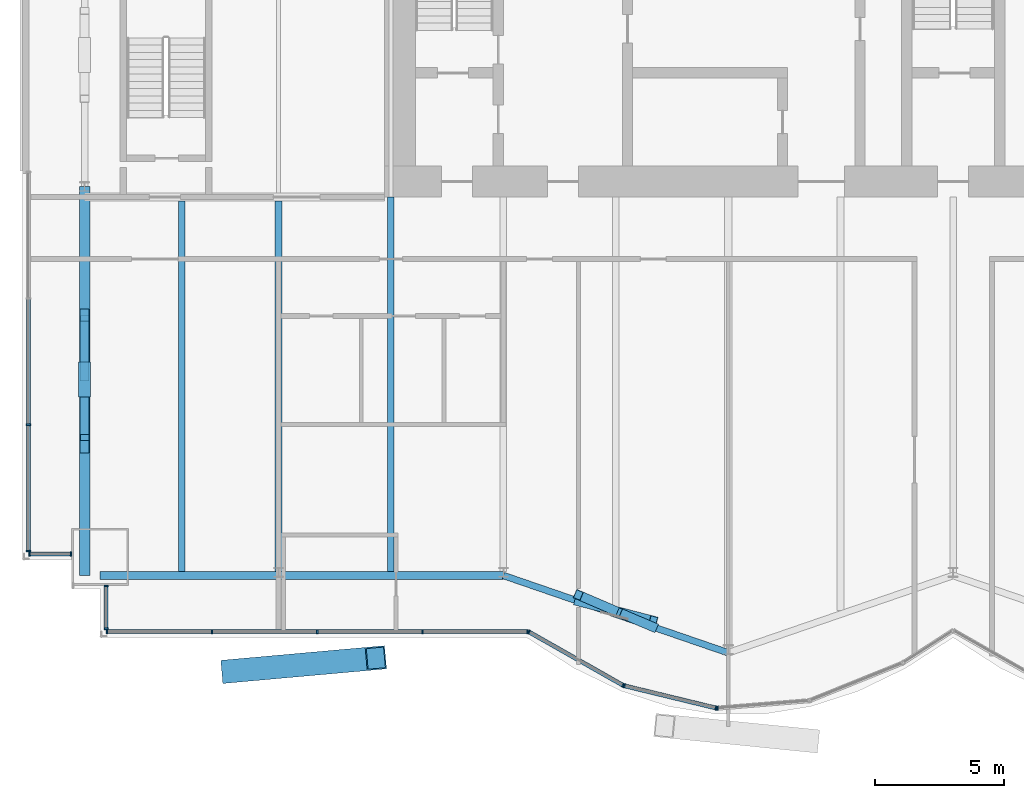
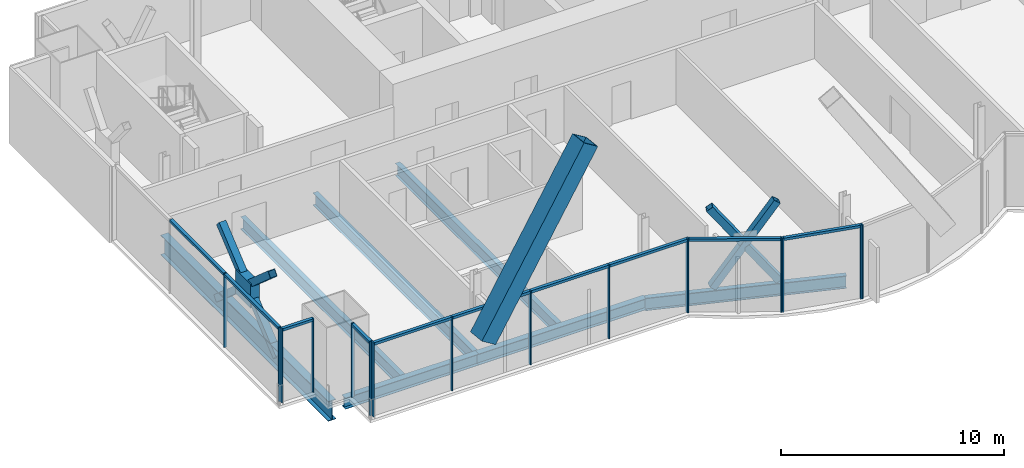
# One storey, part 5 of 20: 35 members, 7 beams, 5 elements without a shape of their own.
"""IFC4 building model written with IfcOpenShell, lengths in metres."""

from ifc_helpers import new_model, si_unit, direction, frame, origin, origin_2d, place, context, subcontext, project, spatial, rectangle, hollow_rectangle, i_section, extrude, material, material_profile, profile_set, type_object, element, aggregate, save


model = new_model("IFC4")

# Units and contexts
model_context = context("Model", 3, precision=1e-05, world=origin(), true_north=direction((0.0, 1.0)))
body_context = subcontext(model_context, "Body", "Model", "MODEL_VIEW")
ifc_project = project(units=[si_unit("LENGTHUNIT", "METRE"), si_unit("AREAUNIT", "SQUARE_METRE"), si_unit("VOLUMEUNIT", "CUBIC_METRE"), si_unit("PLANEANGLEUNIT", "RADIAN"), si_unit("MASSUNIT", "GRAM", prefix="KILO")], contexts=[model_context])

# Site, building, storey
site_placement = place(None, origin())
site = spatial("IfcSite", under=ifc_project, at=site_placement, CompositionType="ELEMENT")
building_placement = place(site_placement, origin())
building = spatial("IfcBuilding", under=site, at=building_placement, Name="Bicima Exchange Tower", CompositionType="ELEMENT")
storey_placement = place(building_placement, frame((0.0, 0.0, 245.60009765625)))
storey = spatial("IfcBuildingStorey", under=building, at=storey_placement, Name="L55", CompositionType="ELEMENT", Elevation=245.60009765625)

# Member
ifc_material_1 = material(Name="Steel ASTM A572 Gr 50", Category="steel")
ifc_material_profile_1 = material_profile(ifc_material_1, rectangle(XDim=0.45556640625, YDim=1.33837890625, at=origin_2d()))
ifc_profile_set_1 = profile_set([ifc_material_profile_1], Name="Steel ASTM A572 Gr 50")
member_type_1 = type_object("IfcMemberType", Name="Brace crossing node 456 x 1338", PredefinedType="POST", material=ifc_profile_set_1)
member_1_placement = place(storey_placement, frame((-33.60009765625, -20.06103515625, 0.7705078125), z_axis=(0.0, 0.0, 1.0), x_axis=(1.0, 0.0, 0.0)))
element("IfcMember", 1, at=member_1_placement, inside=storey, type_object=member_type_1, Name="Brace crossing node block", PredefinedType="POST", context=body_context, shape_type="SweptSolid", body=[
    extrude(rectangle(XDim=0.45556640625, YDim=1.33837890625, at=origin_2d()), origin(), (0.0, 0.0, 1.0), 1.318603515625),
])

# Curtain wall, members
ifc_material_2 = material(Name="Anodised bronze aluminium", Category="aluminium")
curtain_wall_type_1 = type_object("IfcCurtainWallType", Name="End face glass wall", PredefinedType="NOTDEFINED", material=ifc_material_2)
curtain_wall_1_placement = place(storey_placement, origin())
curtain_wall_1 = element("IfcCurtainWall", 2, at=curtain_wall_1_placement, inside=storey, type_object=curtain_wall_type_1, Name="End face glass wall L55 run 2", PredefinedType="NOTDEFINED")
ifc_material_profile_2 = material_profile(ifc_material_2, rectangle(XDim=0.159912109375, YDim=0.06005859375, at=origin_2d()))
ifc_profile_set_2 = profile_set([ifc_material_profile_2], Name="Anodised bronze aluminium")
member_type_2 = type_object("IfcMemberType", Name="End face glass wall mullion 60 x 160", PredefinedType="MULLION", material=ifc_profile_set_2)
member_2_placement = place(storey_placement, frame((-35.77001953125, -21.812744140625, 0.0), z_axis=(0.0, 0.0, 1.0), x_axis=(1.0, 0.0, 0.0)))
member_2 = element("IfcMember", 3, at=member_2_placement, type_object=member_type_2, Name="End face glass wall mullion 3", PredefinedType="MULLION", context=body_context, shape_type="SweptSolid", body=[
    extrude(rectangle(XDim=0.159912109375, YDim=0.06005859375, at=origin_2d()), origin(), (0.0, 0.0, 1.0), 4.0498046875),
])
member_3_placement = place(storey_placement, frame((-35.77001953125, -26.7041015625, 0.0), z_axis=(0.0, 0.0, 1.0), x_axis=(1.0, 0.0, 0.0)))
member_3 = element("IfcMember", 4, at=member_3_placement, type_object=member_type_2, Name="End face glass wall mullion 4", PredefinedType="MULLION", context=body_context, shape_type="SweptSolid", body=[
    extrude(rectangle(XDim=0.159912109375, YDim=0.06005859375, at=origin_2d()), origin(), (0.0, 0.0, 1.0), 4.0498046875),
])
ifc_material_profile_3 = material_profile(ifc_material_2, rectangle(XDim=0.159912109375, YDim=0.139892578125, at=origin_2d()))
ifc_profile_set_3 = profile_set([ifc_material_profile_3], Name="Anodised bronze aluminium")
member_type_3 = type_object("IfcMemberType", Name="End face glass wall transom 140 x 160", PredefinedType="USERDEFINED", material=ifc_profile_set_3)
member_4_placement = place(storey_placement, frame((-35.77001953125, -16.951416015625, 3.97998046875), z_axis=(0.0, -1.0, 0.0), x_axis=(1.0, 0.0, 0.0)))
member_4 = element("IfcMember", 5, at=member_4_placement, type_object=member_type_3, Name="End face glass wall transom 2.1", ObjectType="TRANSOM", PredefinedType="USERDEFINED", context=body_context, shape_type="SweptSolid", body=[
    extrude(rectangle(XDim=0.159912109375, YDim=0.139892578125, at=origin_2d()), origin(), (0.0, 0.0, 1.0), 4.831298828125),
])
member_5_placement = place(storey_placement, frame((-35.77001953125, -21.8427734375, 3.97998046875), z_axis=(0.0, -1.0, 0.0), x_axis=(1.0, 0.0, 0.0)))
member_5 = element("IfcMember", 6, at=member_5_placement, type_object=member_type_3, Name="End face glass wall transom 3.1", ObjectType="TRANSOM", PredefinedType="USERDEFINED", context=body_context, shape_type="SweptSolid", body=[
    extrude(rectangle(XDim=0.159912109375, YDim=0.139892578125, at=origin_2d()), origin(), (0.0, 0.0, 1.0), 4.831298828125),
])
aggregate(curtain_wall_1, [member_2, member_3, member_4, member_5])

# Beam
ifc_material_3 = material(Name="Steel ASTM A992 Gr 50", Category="steel")
ifc_material_profile_4 = material_profile(ifc_material_3, i_section(OverallWidth=0.4013671875, OverallDepth=1.089599609375, WebThickness=0.01806640625, FlangeThickness=0.031005859375, at=origin_2d()))
ifc_profile_set_4 = profile_set([ifc_material_profile_4], Name="Steel ASTM A992 Gr 50")
beam_type_1 = type_object("IfcBeamType", Name="End girder W44x230", PredefinedType="BEAM", material=ifc_profile_set_4)
beam_1_placement = place(storey_placement, frame((-33.60009765625, -12.60009765625, -0.69482421875), z_axis=(0.0, -1.0, 0.0), x_axis=(1.0, 0.0, 0.0)))
element("IfcBeam", 7, at=beam_1_placement, inside=storey, type_object=beam_type_1, Name="End girder", PredefinedType="BEAM", context=body_context, shape_type="SweptSolid", body=[
    extrude(i_section(OverallWidth=0.4013671875, OverallDepth=1.089599609375, WebThickness=0.01806640625, FlangeThickness=0.031005859375, at=origin_2d()), origin(), (0.0, 0.0, 1.0), 15.0439453125),
])

# Member
ifc_material_profile_5 = material_profile(ifc_material_1, hollow_rectangle(XDim=0.89990234375, YDim=0.89990234375, WallThickness=0.050048828125, at=origin_2d()))
ifc_profile_set_5 = profile_set([ifc_material_profile_5], Name="Steel ASTM A572 Gr 50")
member_type_4 = type_object("IfcMemberType", Name="Exo mega brace BOX 900x900x50", PredefinedType="BRACE", material=ifc_profile_set_5)
member_6_placement = place(storey_placement, frame((-27.916748046875, -31.3408203125, 3.5), z_axis=(0.543903217572, 0.048682548595, 0.83773462348), x_axis=(-0.089149513248, 0.996018254997, 0.0)))
element("IfcMember", 8, at=member_6_placement, inside=storey, type_object=member_type_4, Name="Exo mega brace front", PredefinedType="BRACE", context=body_context, shape_type="SweptSolid", body=[
    extrude(hollow_rectangle(XDim=0.89990234375, YDim=0.89990234375, WallThickness=0.050048828125, at=origin_2d()), origin(), (0.0, 0.0, 1.0), 10.265625),
])

# Beams
ifc_material_profile_6 = material_profile(ifc_material_3, i_section(OverallWidth=0.25390625, OverallDepth=0.67822265625, WebThickness=0.01171875, FlangeThickness=0.016357421875, at=origin_2d()))
ifc_profile_set_6 = profile_set([ifc_material_profile_6], Name="Steel ASTM A992 Gr 50")
beam_type_2 = type_object("IfcBeamType", Name="Floor beam W27x84", PredefinedType="JOIST", material=ifc_profile_set_6)
for number, where, z_axis, x_axis, name in (
    (9, (-29.85009765625, -13.15234375, -0.4892578125), (0.0, -1.0, 0.0), (1.0, 0.0, 0.0), "Floor beam"),
    (10, (-26.10009765625, -13.15234375, -0.4892578125), (0.0, -1.0, 0.0), (1.0, 0.0, 0.0), "Floor beam"),
):
    element("IfcBeam", number, at=place(storey_placement, frame(where, z_axis=z_axis, x_axis=x_axis)), inside=storey, type_object=beam_type_2, Name=name, PredefinedType="JOIST", context=body_context, shape_type="SweptSolid", body=[
        extrude(i_section(OverallWidth=0.25390625, OverallDepth=0.67822265625, WebThickness=0.01171875, FlangeThickness=0.016357421875, at=origin_2d()), origin(), (0.0, 0.0, 1.0), 14.3291015625),
    ])
beam_2_placement = place(storey_placement, frame((-21.75, -13.0, -0.4892578125), z_axis=(0.0, -1.0, 0.0), x_axis=(1.0, 0.0, 0.0)))
element("IfcBeam", 11, at=beam_2_placement, inside=storey, type_object=beam_type_2, Name="Floor beam", PredefinedType="JOIST", context=body_context, shape_type="SweptSolid", body=[
    extrude(i_section(OverallWidth=0.25390625, OverallDepth=0.67822265625, WebThickness=0.01171875, FlangeThickness=0.016357421875, at=origin_2d()), origin(), (0.0, 0.0, 1.0), 14.4814453125),
])
ifc_material_profile_7 = material_profile(ifc_material_3, i_section(OverallWidth=0.3251953125, OverallDepth=0.612060546875, WebThickness=0.0126953125, FlangeThickness=0.01904296875, at=origin_2d()))
ifc_profile_set_7 = profile_set([ifc_material_profile_7], Name="Steel ASTM A992 Gr 50")
beam_type_3 = type_object("IfcBeamType", Name="Front girder W24x104", PredefinedType="BEAM", material=ifc_profile_set_7)
beam_3_placement = place(storey_placement, frame((-33.0, -27.64404296875, -0.456298828125), z_axis=(1.0, 0.0, 0.0), x_axis=(0.0, 1.0, 0.0)))
element("IfcBeam", 12, at=beam_3_placement, inside=storey, type_object=beam_type_3, Name="Front girder", PredefinedType="BEAM", context=body_context, shape_type="SweptSolid", body=[
    extrude(i_section(OverallWidth=0.3251953125, OverallDepth=0.612060546875, WebThickness=0.0126953125, FlangeThickness=0.01904296875, at=origin_2d()), origin(), (0.0, 0.0, 1.0), 6.89990234375),
])
beam_4_placement = place(storey_placement, frame((-26.10009765625, -27.64404296875, -0.456298828125), z_axis=(1.0, 0.0, 0.0), x_axis=(0.0, 1.0, 0.0)))
element("IfcBeam", 13, at=beam_4_placement, inside=storey, type_object=beam_type_3, Name="Front girder", PredefinedType="BEAM", context=body_context, shape_type="SweptSolid", body=[
    extrude(i_section(OverallWidth=0.3251953125, OverallDepth=0.612060546875, WebThickness=0.0126953125, FlangeThickness=0.01904296875, at=origin_2d()), origin(), (0.0, 0.0, 1.0), 8.7001953125),
])
ifc_material_profile_8 = material_profile(ifc_material_3, i_section(OverallWidth=0.256591796875, OverallDepth=0.693359375, WebThickness=0.014404296875, FlangeThickness=0.023681640625, at=origin_2d()))
ifc_profile_set_8 = profile_set([ifc_material_profile_8], Name="Steel ASTM A992 Gr 50")
beam_type_4 = type_object("IfcBeamType", Name="Front girder W27x114", PredefinedType="BEAM", material=ifc_profile_set_8)
beam_5_placement = place(storey_placement, frame((-17.39990234375, -27.64404296875, -0.496826171875), z_axis=(0.945674616091, -0.32511462668, 0.0), x_axis=(0.32511462668, 0.945674616091, 0.0)))
element("IfcBeam", 14, at=beam_5_placement, inside=storey, type_object=beam_type_4, Name="Front girder", PredefinedType="BEAM", context=body_context, shape_type="SweptSolid", body=[
    extrude(i_section(OverallWidth=0.256591796875, OverallDepth=0.693359375, WebThickness=0.014404296875, FlangeThickness=0.023681640625, at=origin_2d()), origin(), (0.0, 0.0, 1.0), 9.19970703125),
])

# Curtain wall, members
curtain_wall_type_2 = type_object("IfcCurtainWallType", Name="Front glass wall", PredefinedType="NOTDEFINED", material=ifc_material_2)
curtain_wall_2_placement = place(storey_placement, origin())
curtain_wall_2 = element("IfcCurtainWall", 15, at=curtain_wall_2_placement, inside=storey, type_object=curtain_wall_type_2, Name="Front glass wall L55 run 3", PredefinedType="NOTDEFINED")
member_type_5 = type_object("IfcMemberType", Name="Front glass wall mullion 60 x 160", PredefinedType="MULLION", material=ifc_profile_set_2)
member_7_placement = place(storey_placement, frame((-35.739990234375, -26.81396484375, 0.0), z_axis=(0.0, 0.0, 1.0), x_axis=(0.0, 1.0, 0.0)))
member_7 = element("IfcMember", 16, at=member_7_placement, type_object=member_type_5, Name="Front glass wall mullion 1", PredefinedType="MULLION", context=body_context, shape_type="SweptSolid", body=[
    extrude(rectangle(XDim=0.159912109375, YDim=0.06005859375, at=origin_2d()), origin(), (0.0, 0.0, 1.0), 4.0498046875),
])
member_8_placement = place(storey_placement, frame((-34.1298828125, -26.81396484375, 0.0), z_axis=(0.0, 0.0, 1.0), x_axis=(0.0, 1.0, 0.0)))
member_8 = element("IfcMember", 17, at=member_8_placement, type_object=member_type_5, Name="Front glass wall mullion 2", PredefinedType="MULLION", context=body_context, shape_type="SweptSolid", body=[
    extrude(rectangle(XDim=0.159912109375, YDim=0.06005859375, at=origin_2d()), origin(), (0.0, 0.0, 1.0), 4.0498046875),
])

curtain_wall_3_placement = place(storey_placement, origin())
curtain_wall_3 = element("IfcCurtainWall", 18, at=curtain_wall_3_placement, inside=storey, type_object=curtain_wall_type_2, Name="Front glass wall L55 run 4", PredefinedType="NOTDEFINED")
member_9_placement = place(storey_placement, frame((-32.77001953125, -28.052001953125, 0.0), z_axis=(0.0, 0.0, 1.0), x_axis=(1.0, 0.0, 0.0)))
member_9 = element("IfcMember", 19, at=member_9_placement, type_object=member_type_5, Name="Front glass wall mullion 1", PredefinedType="MULLION", context=body_context, shape_type="SweptSolid", body=[
    extrude(rectangle(XDim=0.159912109375, YDim=0.06005859375, at=origin_2d()), origin(), (0.0, 0.0, 1.0), 4.0498046875),
])
member_10_placement = place(storey_placement, frame((-32.77001953125, -29.7041015625, 0.0), z_axis=(0.0, 0.0, 1.0), x_axis=(1.0, 0.0, 0.0)))
member_10 = element("IfcMember", 20, at=member_10_placement, type_object=member_type_5, Name="Front glass wall mullion 2", PredefinedType="MULLION", context=body_context, shape_type="SweptSolid", body=[
    extrude(rectangle(XDim=0.159912109375, YDim=0.06005859375, at=origin_2d()), origin(), (0.0, 0.0, 1.0), 4.0498046875),
])

curtain_wall_4_placement = place(storey_placement, origin())
curtain_wall_4 = element("IfcCurtainWall", 21, at=curtain_wall_4_placement, inside=storey, type_object=curtain_wall_type_2, Name="Front glass wall L55 run 5", PredefinedType="NOTDEFINED")
member_11_placement = place(storey_placement, frame((-32.739990234375, -29.81396484375, 0.0), z_axis=(0.0, 0.0, 1.0), x_axis=(0.0, 1.0, 0.0)))
member_11 = element("IfcMember", 22, at=member_11_placement, type_object=member_type_5, Name="Front glass wall mullion 1", PredefinedType="MULLION", context=body_context, shape_type="SweptSolid", body=[
    extrude(rectangle(XDim=0.159912109375, YDim=0.06005859375, at=origin_2d()), origin(), (0.0, 0.0, 1.0), 4.0498046875),
])
member_12_placement = place(storey_placement, frame((-28.67041015625, -29.81396484375, 0.0), z_axis=(0.0, 0.0, 1.0), x_axis=(0.0, 1.0, 0.0)))
member_12 = element("IfcMember", 23, at=member_12_placement, type_object=member_type_5, Name="Front glass wall mullion 2", PredefinedType="MULLION", context=body_context, shape_type="SweptSolid", body=[
    extrude(rectangle(XDim=0.159912109375, YDim=0.06005859375, at=origin_2d()), origin(), (0.0, 0.0, 1.0), 4.0498046875),
])
member_13_placement = place(storey_placement, frame((-24.60107421875, -29.81396484375, 0.0), z_axis=(0.0, 0.0, 1.0), x_axis=(0.0, 1.0, 0.0)))
member_13 = element("IfcMember", 24, at=member_13_placement, type_object=member_type_5, Name="Front glass wall mullion 3", PredefinedType="MULLION", context=body_context, shape_type="SweptSolid", body=[
    extrude(rectangle(XDim=0.159912109375, YDim=0.06005859375, at=origin_2d()), origin(), (0.0, 0.0, 1.0), 4.0498046875),
])
member_14_placement = place(storey_placement, frame((-20.531494140625, -29.81396484375, 0.0), z_axis=(0.0, 0.0, 1.0), x_axis=(0.0, 1.0, 0.0)))
member_14 = element("IfcMember", 25, at=member_14_placement, type_object=member_type_5, Name="Front glass wall mullion 4", PredefinedType="MULLION", context=body_context, shape_type="SweptSolid", body=[
    extrude(rectangle(XDim=0.159912109375, YDim=0.06005859375, at=origin_2d()), origin(), (0.0, 0.0, 1.0), 4.0498046875),
])
member_15_placement = place(storey_placement, frame((-16.462158203125, -29.81396484375, 0.0), z_axis=(0.0, 0.0, 1.0), x_axis=(0.0, 1.0, 0.0)))
member_15 = element("IfcMember", 26, at=member_15_placement, type_object=member_type_5, Name="Front glass wall mullion 5", PredefinedType="MULLION", context=body_context, shape_type="SweptSolid", body=[
    extrude(rectangle(XDim=0.159912109375, YDim=0.06005859375, at=origin_2d()), origin(), (0.0, 0.0, 1.0), 4.0498046875),
])

curtain_wall_5_placement = place(storey_placement, origin())
curtain_wall_5 = element("IfcCurtainWall", 27, at=curtain_wall_5_placement, inside=storey, type_object=curtain_wall_type_2, Name="Front glass wall L55 run 6", PredefinedType="NOTDEFINED")
member_16_placement = place(storey_placement, frame((-16.406005859375, -29.828857421875, 0.0), z_axis=(0.0, 0.0, 1.0), x_axis=(0.493395449343, 0.869805110681, 0.0)))
member_16 = element("IfcMember", 28, at=member_16_placement, type_object=member_type_5, Name="Front glass wall mullion 1", PredefinedType="MULLION", context=body_context, shape_type="SweptSolid", body=[
    extrude(rectangle(XDim=0.159912109375, YDim=0.06005859375, at=origin_2d()), origin(), (0.0, 0.0, 1.0), 4.0498046875),
])
member_17_placement = place(storey_placement, frame((-12.7734375, -31.889404296875, 0.0), z_axis=(0.0, 0.0, 1.0), x_axis=(0.493395449343, 0.869805110681, 0.0)))
member_17 = element("IfcMember", 29, at=member_17_placement, type_object=member_type_5, Name="Front glass wall mullion 2", PredefinedType="MULLION", context=body_context, shape_type="SweptSolid", body=[
    extrude(rectangle(XDim=0.159912109375, YDim=0.06005859375, at=origin_2d()), origin(), (0.0, 0.0, 1.0), 4.0498046875),
])
member_18_placement = place(storey_placement, frame((-12.718017578125, -31.911376953125, 0.0), z_axis=(0.0, 0.0, 1.0), x_axis=(0.235681529503, 0.971830343553, 0.0)))
member_18 = element("IfcMember", 30, at=member_18_placement, type_object=member_type_5, Name="Front glass wall mullion 1", PredefinedType="MULLION", context=body_context, shape_type="SweptSolid", body=[
    extrude(rectangle(XDim=0.159912109375, YDim=0.06005859375, at=origin_2d()), origin(), (0.0, 0.0, 1.0), 4.0498046875),
])
member_19_placement = place(storey_placement, frame((-9.177490234375, -32.77001953125, 0.0), z_axis=(0.0, 0.0, 1.0), x_axis=(0.235681529503, 0.971830343553, 0.0)))
member_19 = element("IfcMember", 31, at=member_19_placement, type_object=member_type_5, Name="Front glass wall mullion 2", PredefinedType="MULLION", context=body_context, shape_type="SweptSolid", body=[
    extrude(rectangle(XDim=0.159912109375, YDim=0.06005859375, at=origin_2d()), origin(), (0.0, 0.0, 1.0), 4.0498046875),
])
member_20_placement = place(storey_placement, frame((-9.118408203125, -32.774658203125, 0.0), z_axis=(0.0, 0.0, 1.0), x_axis=(-0.080588612633, 0.99674744821, 0.0)))
member_20 = element("IfcMember", 32, at=member_20_placement, type_object=member_type_5, Name="Front glass wall mullion 1", PredefinedType="MULLION", context=body_context, shape_type="SweptSolid", body=[
    extrude(rectangle(XDim=0.159912109375, YDim=0.06005859375, at=origin_2d()), origin(), (0.0, 0.0, 1.0), 4.0498046875),
])

# Member
member_type_6 = type_object("IfcMemberType", Name="Front glass wall transom 140 x 160", PredefinedType="USERDEFINED", material=ifc_profile_set_3)
member_21_placement = place(storey_placement, frame((-35.7099609375, -26.81396484375, 3.97998046875), z_axis=(1.0, 0.0, 0.0), x_axis=(0.0, 1.0, 0.0)))
member_21 = element("IfcMember", 33, at=member_21_placement, type_object=member_type_6, Name="Front glass wall transom 1.1", ObjectType="TRANSOM", PredefinedType="USERDEFINED", context=body_context, shape_type="SweptSolid", body=[
    extrude(rectangle(XDim=0.159912109375, YDim=0.139892578125, at=origin_2d()), origin(), (0.0, 0.0, 1.0), 1.550048828125),
])

aggregate(curtain_wall_2, [member_7, member_8, member_21])

member_22_placement = place(storey_placement, frame((-32.77001953125, -28.08203125, 3.97998046875), z_axis=(0.0, -1.0, 0.0), x_axis=(1.0, 0.0, 0.0)))
member_22 = element("IfcMember", 34, at=member_22_placement, type_object=member_type_6, Name="Front glass wall transom 1.1", ObjectType="TRANSOM", PredefinedType="USERDEFINED", context=body_context, shape_type="SweptSolid", body=[
    extrude(rectangle(XDim=0.159912109375, YDim=0.139892578125, at=origin_2d()), origin(), (0.0, 0.0, 1.0), 1.592041015625),
])

aggregate(curtain_wall_3, [member_9, member_10, member_22])

member_23_placement = place(storey_placement, frame((-32.7099609375, -29.81396484375, 3.97998046875), z_axis=(1.0, 0.0, 0.0), x_axis=(0.0, 1.0, 0.0)))
member_23 = element("IfcMember", 35, at=member_23_placement, type_object=member_type_6, Name="Front glass wall transom 1.1", ObjectType="TRANSOM", PredefinedType="USERDEFINED", context=body_context, shape_type="SweptSolid", body=[
    extrude(rectangle(XDim=0.159912109375, YDim=0.139892578125, at=origin_2d()), origin(), (0.0, 0.0, 1.0), 4.009521484375),
])

member_24_placement = place(storey_placement, frame((-28.640380859375, -29.81396484375, 3.97998046875), z_axis=(1.0, 0.0, 0.0), x_axis=(0.0, 1.0, 0.0)))
member_24 = element("IfcMember", 36, at=member_24_placement, type_object=member_type_6, Name="Front glass wall transom 2.1", ObjectType="TRANSOM", PredefinedType="USERDEFINED", context=body_context, shape_type="SweptSolid", body=[
    extrude(rectangle(XDim=0.159912109375, YDim=0.139892578125, at=origin_2d()), origin(), (0.0, 0.0, 1.0), 4.00927734375),
])

member_25_placement = place(storey_placement, frame((-24.571044921875, -29.81396484375, 3.97998046875), z_axis=(1.0, 0.0, 0.0), x_axis=(0.0, 1.0, 0.0)))
member_25 = element("IfcMember", 37, at=member_25_placement, type_object=member_type_6, Name="Front glass wall transom 3.1", ObjectType="TRANSOM", PredefinedType="USERDEFINED", context=body_context, shape_type="SweptSolid", body=[
    extrude(rectangle(XDim=0.159912109375, YDim=0.139892578125, at=origin_2d()), origin(), (0.0, 0.0, 1.0), 4.009521484375),
])

member_26_placement = place(storey_placement, frame((-20.501708984375, -29.81396484375, 3.97998046875), z_axis=(1.0, 0.0, 0.0), x_axis=(0.0, 1.0, 0.0)))
member_26 = element("IfcMember", 38, at=member_26_placement, type_object=member_type_6, Name="Front glass wall transom 4.1", ObjectType="TRANSOM", PredefinedType="USERDEFINED", context=body_context, shape_type="SweptSolid", body=[
    extrude(rectangle(XDim=0.159912109375, YDim=0.139892578125, at=origin_2d()), origin(), (0.0, 0.0, 1.0), 4.009521484375),
])

aggregate(curtain_wall_4, [member_11, member_12, member_13, member_14, member_15, member_23, member_24, member_25, member_26])

member_27_placement = place(storey_placement, frame((-16.3798828125, -29.843505859375, 3.97998046875), z_axis=(0.869797371721, -0.49340909208, 0.0), x_axis=(0.49340909208, 0.869797371721, 0.0)))
member_27 = element("IfcMember", 39, at=member_27_placement, type_object=member_type_6, Name="Front glass wall transom 1.1", ObjectType="TRANSOM", PredefinedType="USERDEFINED", context=body_context, shape_type="SweptSolid", body=[
    extrude(rectangle(XDim=0.159912109375, YDim=0.139892578125, at=origin_2d()), origin(), (0.0, 0.0, 1.0), 4.1162109375),
])

member_28_placement = place(storey_placement, frame((-12.68896484375, -31.918212890625, 3.97998046875), z_axis=(0.971817951661, -0.235732621477, 0.0), x_axis=(0.235732621477, 0.971817951661, 0.0)))
member_28 = element("IfcMember", 40, at=member_28_placement, type_object=member_type_6, Name="Front glass wall transom 1.1", ObjectType="TRANSOM", PredefinedType="USERDEFINED", context=body_context, shape_type="SweptSolid", body=[
    extrude(rectangle(XDim=0.159912109375, YDim=0.139892578125, at=origin_2d()), origin(), (0.0, 0.0, 1.0), 3.58349609375),
])

aggregate(curtain_wall_5, [member_16, member_17, member_27, member_18, member_19, member_28, member_20])

# Members
ifc_material_profile_9 = material_profile(ifc_material_1, hollow_rectangle(XDim=0.355712890625, YDim=0.355712890625, WallThickness=0.0146484375, at=origin_2d()))
ifc_profile_set_9 = profile_set([ifc_material_profile_9], Name="Steel ASTM A572 Gr 50")
member_type_7 = type_object("IfcMemberType", Name="Mega brace HSS14x14x5/8", PredefinedType="BRACE", material=ifc_profile_set_9)
member_29_placement = place(storey_placement, frame((-14.5, -28.64111328125, 0.0), z_axis=(0.562098696506, -0.145943120056, 0.814091924229), x_axis=(0.251307155067, 0.967907389068, 0.0)))
element("IfcMember", 41, at=member_29_placement, inside=storey, type_object=member_type_7, Name="Mega brace front", PredefinedType="BRACE", context=body_context, shape_type="SweptSolid", body=[
    extrude(hollow_rectangle(XDim=0.355712890625, YDim=0.355712890625, WallThickness=0.0146484375, at=origin_2d()), origin(), (0.0, 0.0, 1.0), 5.1591796875),
])
member_30_placement = place(storey_placement, frame((-11.60009765625, -29.637939453125, 0.0), z_axis=(-0.55210975673, 0.236215416624, 0.799610588645), x_axis=(-0.393352200269, -0.919387865127, 0.0)))
element("IfcMember", 42, at=member_30_placement, inside=storey, type_object=member_type_7, Name="Mega brace front", PredefinedType="BRACE", context=body_context, shape_type="SweptSolid", body=[
    extrude(hollow_rectangle(XDim=0.355712890625, YDim=0.355712890625, WallThickness=0.0146484375, at=origin_2d()), origin(), (0.0, 0.0, 1.0), 2.509521484375),
])
member_31_placement = place(storey_placement, frame((-13.114501953125, -28.989990234375, 2.193115234375), z_axis=(-0.552054121879, 0.23628889199, 0.799627291955), x_axis=(-0.393489127215, -0.919329270046, 0.0)))
element("IfcMember", 43, at=member_31_placement, inside=storey, type_object=member_type_7, Name="Mega brace front", PredefinedType="BRACE", context=body_context, shape_type="SweptSolid", body=[
    extrude(hollow_rectangle(XDim=0.355712890625, YDim=0.355712890625, WallThickness=0.0146484375, at=origin_2d()), origin(), (0.0, 0.0, 1.0), 2.509765625),
])
for number, where, z_axis, x_axis, name in (
    (44, (-33.60009765625, -17.451904296875, -0.69482421875), (0.0, -0.752317784327, 0.658800388119), (1.0, 0.0, 0.0), "Mega brace west end"),
    (45, (-33.60009765625, -20.1064453125, 1.6298828125), (0.0, -0.752240085907, 0.658889105354), (1.0, 0.0, 0.0), "Mega brace west end"),
):
    element("IfcMember", number, at=place(storey_placement, frame(where, z_axis=z_axis, x_axis=x_axis)), inside=storey, type_object=member_type_7, Name=name, PredefinedType="BRACE", context=body_context, shape_type="SweptSolid", body=[
        extrude(hollow_rectangle(XDim=0.355712890625, YDim=0.355712890625, WallThickness=0.0146484375, at=origin_2d()), origin(), (0.0, 0.0, 1.0), 2.92138671875),
    ])
for number, where, z_axis, x_axis, name in (
    (46, (-33.60009765625, -22.7919921875, -0.69482421875), (0.0, 0.768015405636, 0.640431367678), (-1.0, 0.0, 0.0), "Mega brace west end"),
    (47, (-33.60009765625, -20.0107421875, 1.624267578125), (0.0, 0.76797556264, 0.640479145006), (-1.0, 0.0, 0.0), "Mega brace west end"),
):
    element("IfcMember", number, at=place(storey_placement, frame(where, z_axis=z_axis, x_axis=x_axis)), inside=storey, type_object=member_type_7, Name=name, PredefinedType="BRACE", context=body_context, shape_type="SweptSolid", body=[
        extrude(hollow_rectangle(XDim=0.355712890625, YDim=0.355712890625, WallThickness=0.0146484375, at=origin_2d()), origin(), (0.0, 0.0, 1.0), 3.013916015625),
    ])

save(model, "model.ifc")
